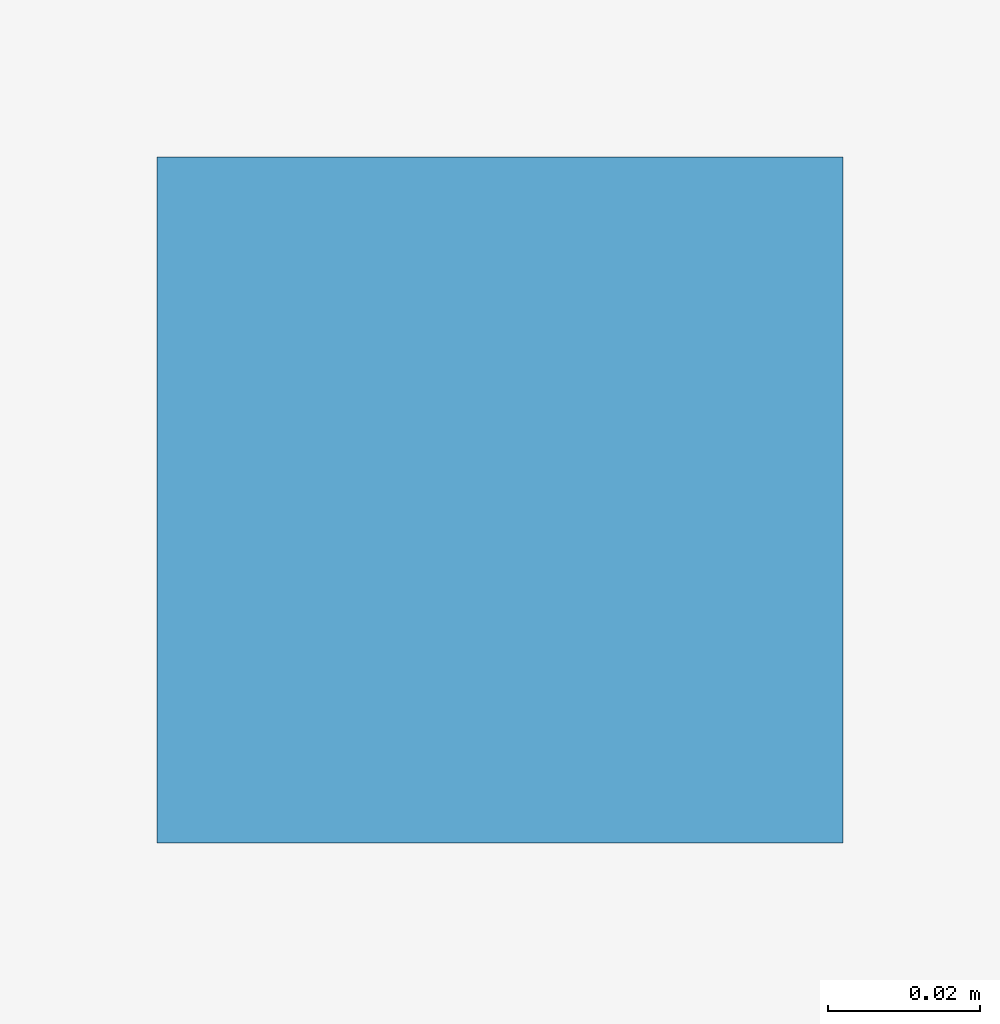
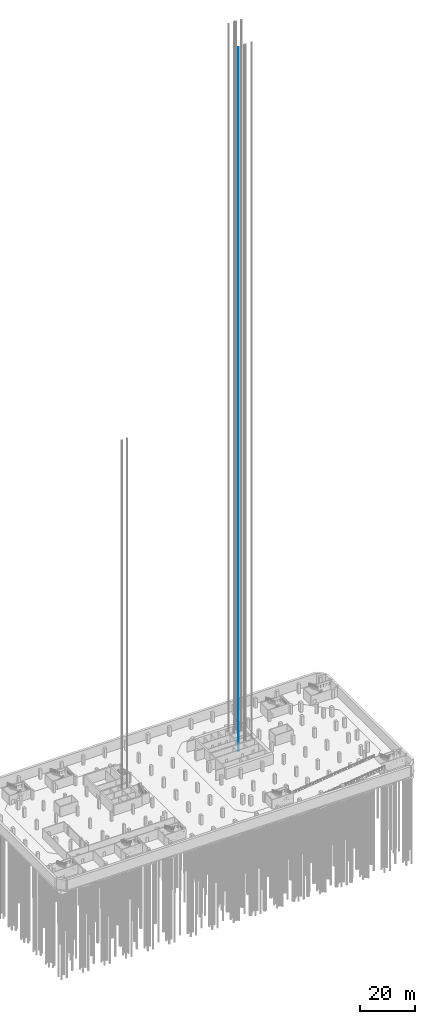
# One storey, part 8 of 30: 1 member.
"""IFC4 building model written with IfcOpenShell, lengths in metres."""

from ifc_helpers import new_model, si_unit, direction, frame, origin, origin_2d, place, context, subcontext, project, spatial, rectangle, extrude, material, material_profile, profile_set, type_object, element, save


model = new_model("IFC4")

# Units and contexts
model_context = context("Model", 3, precision=1e-05, world=origin(), true_north=direction((0.0, 1.0)))
body_context = subcontext(model_context, "Body", "Model", "MODEL_VIEW")
ifc_project = project(units=[si_unit("LENGTHUNIT", "METRE"), si_unit("AREAUNIT", "SQUARE_METRE"), si_unit("VOLUMEUNIT", "CUBIC_METRE"), si_unit("PLANEANGLEUNIT", "RADIAN"), si_unit("MASSUNIT", "GRAM", prefix="KILO")], contexts=[model_context])

# Site, building, storey
site_placement = place(None, origin())
site = spatial("IfcSite", under=ifc_project, at=site_placement, CompositionType="ELEMENT")
building_placement = place(site_placement, origin())
building = spatial("IfcBuilding", under=site, at=building_placement, Name="Cinnabar Reach Civic Tower", CompositionType="ELEMENT")
storey_placement = place(building_placement, frame((0.0, 0.0, -14.0)))
storey = spatial("IfcBuildingStorey", under=building, at=storey_placement, Name="B3", CompositionType="ELEMENT", Elevation=-14.0)

# Member
ifc_material = material(Name="Steel Q355B", Category="steel")
ifc_material_profile = material_profile(ifc_material, rectangle(XDim=0.09, YDim=0.09, at=origin_2d()), Name="T1 lift guide rail")
ifc_profile_set = profile_set([ifc_material_profile], Name="Steel Q355B")
member_type = type_object("IfcMemberType", Name="T1 lift guide rail", PredefinedType="USERDEFINED", material=ifc_profile_set)
member_placement = place(storey_placement, frame((16.72, 33.0, 0.0), z_axis=(0.0, 0.0, 1.0), x_axis=(1.0, 0.0, 0.0)))
element("IfcMember", 1, at=member_placement, inside=storey, type_object=member_type, Name="T1-SV1 guide rail 1", ObjectType="GUIDE RAIL", PredefinedType="USERDEFINED", context=body_context, shape_type="SweptSolid", body=[
    extrude(rectangle(XDim=0.09, YDim=0.09, at=origin_2d()), origin(), (0.0, 0.0, 1.0), 311.05),
])

save(model, "model.ifc")
